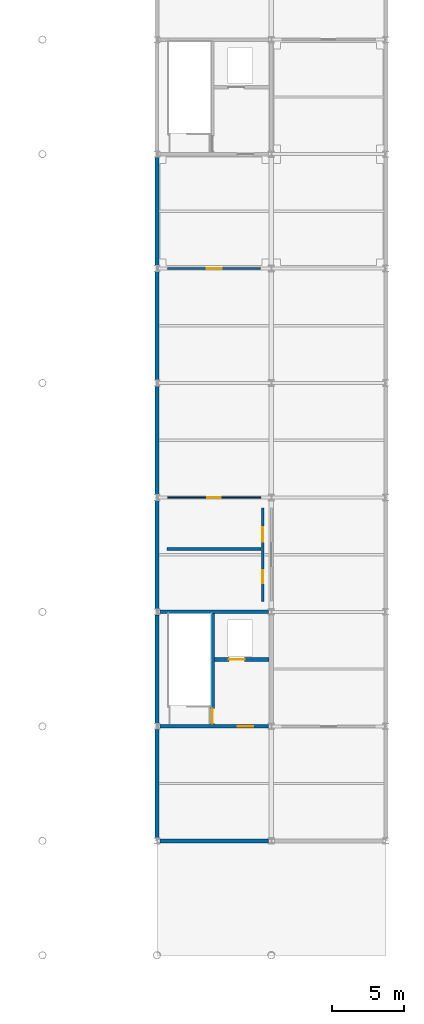
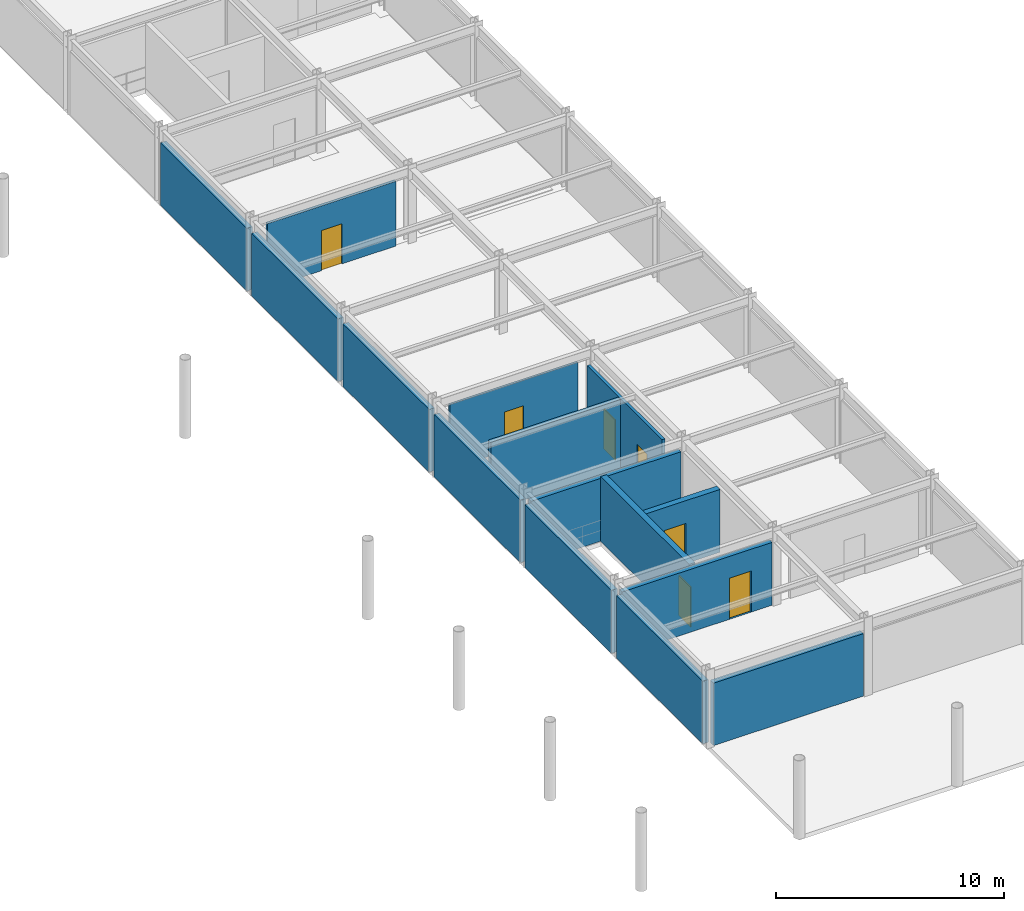
# One storey, part 43 of 54: 15 walls, 7 doors, 7 openings.
"""IFC4 building model written with IfcOpenShell, lengths in metres."""

from ifc_helpers import new_model, si_unit, direction, frame, frame_2d, origin, place, context, subcontext, project, spatial, rectangle, extrude, material, layer, layer_set, type_object, element, fill, save


model = new_model("IFC4")

# Units and contexts
model_context = context("Model", 3, precision=1e-05, world=origin(), true_north=direction((0.0, 1.0)))
body_context = subcontext(model_context, "Body", "Model", "MODEL_VIEW")
ifc_project = project(units=[si_unit("LENGTHUNIT", "METRE"), si_unit("AREAUNIT", "SQUARE_METRE"), si_unit("VOLUMEUNIT", "CUBIC_METRE"), si_unit("PLANEANGLEUNIT", "RADIAN"), si_unit("MASSUNIT", "GRAM", prefix="KILO")], contexts=[model_context])

# Site, building, storey
site_placement = place(None, origin())
site = spatial("IfcSite", under=ifc_project, at=site_placement, CompositionType="ELEMENT")
building_placement = place(site_placement, origin())
building = spatial("IfcBuilding", under=site, at=building_placement, Name="Haebicheon Civic Stadium", CompositionType="ELEMENT")
storey_placement = place(building_placement, frame((0.0, 0.0, 22.800048828125)))
storey = spatial("IfcBuildingStorey", under=building, at=storey_placement, Name="L06", CompositionType="ELEMENT", Elevation=22.800048828125)

# Wall, opening, door
ifc_material_1 = material(Name="Concrete C40/50", Category="concrete")
ifc_layer_1 = layer(ifc_material_1, 0.239990234375, Name="Concrete C40/50")
ifc_layer_set_1 = layer_set([ifc_layer_1], Name="Concrete C40/50")
wall_type_1 = type_object("IfcWallType", Name="CW-SHR-240", PredefinedType="SHEAR", material=ifc_layer_set_1)
wall_1_placement = place(storey_placement, frame((144.2041015625, 64.0, 0.0), z_axis=(0.0, 0.0, 1.0), x_axis=(1.0, 0.0, 0.0)))
wall_1 = element("IfcWall", 1, at=wall_1_placement, inside=storey, type_object=wall_type_1, material=ifc_layer_set_1, Name="KC-10 L06 south core shear wall", PredefinedType="SHEAR", context=body_context, shape_type="SweptSolid", body=[
    extrude(rectangle(XDim=7.591796875, YDim=0.239990234375, at=frame_2d((3.7958984375, 0.0))), origin(), (0.0, 0.0, 1.0), 3.369873046875),
])
opening_1_placement = place(wall_1_placement, frame((5.44189453125, 0.0, 0.0)))
opening_1 = element("IfcOpeningElement", 2, at=opening_1_placement, cuts=wall_1, Name="Opening D-L06-KC-10-LOB", PredefinedType="OPENING", context=body_context, shape_type="SweptSolid", body=[
    extrude(rectangle(XDim=1.10009765625, YDim=2.199951171875, at=frame_2d((0.550048828125, 1.10009765625))), frame((0.0, 0.1298828125, 0.0), z_axis=(0.0, -1.0, 0.0), x_axis=(1.0, 0.0, 0.0)), (0.0, 0.0, 1.0), 0.260009765625),
])
ifc_material_2 = material(Name="Galvanised painted steel SM355", Category="steel")
door_type_1 = type_object("IfcDoorType", Name="ID-FD-1100", OperationType="NOTDEFINED", PredefinedType="DOOR", material=ifc_material_2)
door_1_placement = place(opening_1_placement, origin())
door_1 = element("IfcDoor", 3, at=door_1_placement, inside=storey, type_object=door_type_1, material=ifc_material_2, Name="L06 KC-10 lobby fire door", OperationType="SINGLE_SWING_LEFT", OverallHeight=2.199951171875, OverallWidth=1.10009765625, PredefinedType="DOOR", context=body_context, shape_type="SweptSolid", body=[
    extrude(rectangle(XDim=1.10009765625, YDim=2.199951171875, at=frame_2d((0.550048828125, 1.10009765625))), frame((0.0, 0.02490234375, 0.0), z_axis=(0.0, -1.0, 0.0), x_axis=(1.0, 0.0, 0.0)), (0.0, 0.0, 1.0), 0.050048828125),
])
fill(opening_1, door_1)

# Walls
wall_2_placement = place(storey_placement, frame((144.2041015625, 72.0, 0.0), z_axis=(0.0, 0.0, 1.0), x_axis=(1.0, 0.0, 0.0)))
element("IfcWall", 4, at=wall_2_placement, inside=storey, type_object=wall_type_1, material=ifc_layer_set_1, Name="KC-10 L06 north core shear wall", PredefinedType="SHEAR", context=body_context, shape_type="SweptSolid", body=[
    extrude(rectangle(XDim=7.591796875, YDim=0.239990234375, at=frame_2d((3.7958984375, 0.0))), origin(), (0.0, 0.0, 1.0), 3.369873046875),
])
ifc_material_3 = material(Name="Concrete C40/50", Category="concrete")
ifc_layer_2 = layer(ifc_material_3, 0.300048828125, Name="Concrete C40/50")
ifc_layer_set_2 = layer_set([ifc_layer_2], Name="Concrete C40/50")
wall_type_2 = type_object("IfcWallType", Name="CW-SHR-300", PredefinedType="SHEAR", material=ifc_layer_set_2)
wall_3_placement = place(storey_placement, frame((144.0, 64.214111328125, 0.0), z_axis=(0.0, 0.0, 1.0), x_axis=(0.0, 1.0, 0.0)))
element("IfcWall", 5, at=wall_3_placement, inside=storey, type_object=wall_type_2, material=ifc_layer_set_2, Name="KC-10 L06 west core shear wall", PredefinedType="SHEAR", context=body_context, shape_type="SweptSolid", body=[
    extrude(rectangle(XDim=7.57177734375, YDim=0.300048828125, at=frame_2d((3.785888671875, 0.0))), origin(), (0.0, 0.0, 1.0), 3.369873046875),
])

# Wall, opening, door
wall_4_placement = place(storey_placement, frame((147.8798828125, 64.1201171875, 0.0), z_axis=(0.0, 0.0, 1.0), x_axis=(0.0, 1.0, 0.0)))
wall_4 = element("IfcWall", 6, at=wall_4_placement, inside=storey, type_object=wall_type_2, material=ifc_layer_set_2, Name="KC-10 L06 stair-lobby dividing shear wall", PredefinedType="SHEAR", context=body_context, shape_type="SweptSolid", body=[
    extrude(rectangle(XDim=7.759765625, YDim=0.300048828125, at=frame_2d((3.8798828125, 0.0))), origin(), (0.0, 0.0, 1.0), 3.469970703125),
])
opening_2_placement = place(wall_4_placement, frame((0.080078125, 0.0, 0.0)))
opening_2 = element("IfcOpeningElement", 7, at=opening_2_placement, cuts=wall_4, Name="Opening D-L06-KC-10-STR", PredefinedType="OPENING", context=body_context, shape_type="SweptSolid", body=[
    extrude(rectangle(XDim=1.050048828125, YDim=2.14990234375, at=frame_2d((0.52490234375, 1.074951171875))), frame((0.0, 0.159912109375, 0.0), z_axis=(0.0, -1.0, 0.0), x_axis=(1.0, 0.0, 0.0)), (0.0, 0.0, 1.0), 0.320068359375),
])
ifc_material_4 = material(Name="Galvanised painted steel SM355", Category="steel")
door_type_2 = type_object("IfcDoorType", Name="ID-FD-1050", OperationType="NOTDEFINED", PredefinedType="DOOR", material=ifc_material_4)
door_2_placement = place(opening_2_placement, origin())
door_2 = element("IfcDoor", 8, at=door_2_placement, inside=storey, type_object=door_type_2, material=ifc_material_4, Name="L06 ST-10 stairwell escape door", OperationType="SINGLE_SWING_RIGHT", OverallHeight=2.14990234375, OverallWidth=1.050048828125, PredefinedType="DOOR", context=body_context, shape_type="SweptSolid", body=[
    extrude(rectangle(XDim=1.050048828125, YDim=2.14990234375, at=frame_2d((0.52490234375, 1.074951171875))), frame((0.0, 0.02490234375, 0.0), z_axis=(0.0, -1.0, 0.0), x_axis=(1.0, 0.0, 0.0)), (0.0, 0.0, 1.0), 0.050048828125),
])
fill(opening_2, door_2)

wall_5_placement = place(storey_placement, frame((148.030029296875, 68.679931640625, 0.0), z_axis=(0.0, 0.0, 1.0), x_axis=(1.0, 0.0, 0.0)))
wall_5 = element("IfcWall", 9, at=wall_5_placement, inside=storey, type_object=wall_type_2, material=ifc_layer_set_2, Name="KC-10 L06 lift shaft front wall", PredefinedType="SHEAR", context=body_context, shape_type="SweptSolid", body=[
    extrude(rectangle(XDim=3.820068359375, YDim=0.300048828125, at=frame_2d((1.91015625, 0.0))), origin(), (0.0, 0.0, 1.0), 3.369873046875),
])
opening_3_placement = place(wall_5_placement, frame((1.0, 0.0, 0.0)))
opening_3 = element("IfcOpeningElement", 10, at=opening_3_placement, cuts=wall_5, Name="Opening LD-07-L06", PredefinedType="OPENING", context=body_context, shape_type="SweptSolid", body=[
    extrude(rectangle(XDim=1.10009765625, YDim=2.14990234375, at=frame_2d((0.550048828125, 1.074951171875))), frame((0.0, 0.159912109375, 0.0), z_axis=(0.0, -1.0, 0.0), x_axis=(1.0, 0.0, 0.0)), (0.0, 0.0, 1.0), 0.320068359375),
])
ifc_material_5 = material(Name="Stainless steel 316", Category="steel")
door_type_3 = type_object("IfcDoorType", Name="ID-LD-1100", OperationType="NOTDEFINED", PredefinedType="DOOR", material=ifc_material_5)
door_3_placement = place(opening_3_placement, origin())
door_3 = element("IfcDoor", 11, at=door_3_placement, inside=storey, type_object=door_type_3, material=ifc_material_5, Name="LF-07 lift landing sliding door L06", OperationType="SLIDING_TO_LEFT", OverallHeight=2.14990234375, OverallWidth=1.10009765625, PredefinedType="DOOR", context=body_context, shape_type="SweptSolid", body=[
    extrude(rectangle(XDim=1.10009765625, YDim=2.14990234375, at=frame_2d((0.550048828125, 1.074951171875))), frame((0.0, 0.02490234375, 0.0), z_axis=(0.0, -1.0, 0.0), x_axis=(1.0, 0.0, 0.0)), (0.0, 0.0, 1.0), 0.050048828125),
])
fill(opening_3, door_3)

# Walls
ifc_material_6 = material(Name="Precast concrete C40/50", Category="concrete")
ifc_layer_3 = layer(ifc_material_6, 0.280029296875, Name="Precast concrete C40/50")
ifc_layer_set_3 = layer_set([ifc_layer_3], Name="Precast concrete C40/50")
wall_type_3 = type_object("IfcWallType", Name="EW-BM-280", PredefinedType="SOLIDWALL", material=ifc_layer_set_3)
wall_6_placement = place(storey_placement, frame((144.2041015625, 56.0, 0.0), z_axis=(0.0, 0.0, 1.0), x_axis=(1.0, 0.0, 0.0)))
element("IfcWall", 12, at=wall_6_placement, inside=storey, type_object=wall_type_3, material=ifc_layer_set_3, Name="L06 board-marked concrete facade wall 18-07-S", PredefinedType="SOLIDWALL", context=body_context, shape_type="SweptSolid", body=[
    extrude(rectangle(XDim=7.591796875, YDim=0.280029296875, at=frame_2d((3.7958984375, 0.0))), origin(), (0.0, 0.0, 1.0), 3.349853515625),
])
for number, where, z_axis, x_axis, name in (
    (13, (144.0, 56.214111328125, 0.0), (0.0, 0.0, 1.0), (0.0, 1.0, 0.0), "L06 board-marked concrete facade wall 18-07-W"),
    (14, (144.0, 72.214111328125, 0.0), (0.0, 0.0, 1.0), (0.0, 1.0, 0.0), "L06 board-marked concrete facade wall 18-09-W"),
    (15, (144.0, 80.214111328125, 0.0), (0.0, 0.0, 1.0), (0.0, 1.0, 0.0), "L06 board-marked concrete facade wall 18-10-W"),
    (16, (144.0, 88.214111328125, 0.0), (0.0, 0.0, 1.0), (0.0, 1.0, 0.0), "L06 board-marked concrete facade wall 18-11-W"),
    (17, (144.0, 96.214111328125, 0.0), (0.0, 0.0, 1.0), (0.0, 1.0, 0.0), "L06 board-marked concrete facade wall 18-12-W"),
):
    element("IfcWall", number, at=place(storey_placement, frame(where, z_axis=z_axis, x_axis=x_axis)), inside=storey, type_object=wall_type_3, material=ifc_layer_set_3, Name=name, PredefinedType="SOLIDWALL", context=body_context, shape_type="SweptSolid", body=[
        extrude(rectangle(XDim=7.57177734375, YDim=0.280029296875, at=frame_2d((3.785888671875, 0.0))), origin(), (0.0, 0.0, 1.0), 3.349853515625),
    ])
ifc_material_7 = material(Name="Concrete C35/45", Category="concrete")
ifc_layer_4 = layer(ifc_material_7, 0.219970703125, Name="Concrete C35/45")
ifc_layer_set_4 = layer_set([ifc_layer_4], Name="Concrete C35/45")
wall_type_4 = type_object("IfcWallType", Name="IW-PLB-220", PredefinedType="PLUMBINGWALL", material=ifc_layer_set_4)
wall_7_placement = place(storey_placement, frame((144.719970703125, 76.39990234375, 0.0), z_axis=(0.0, 0.0, 1.0), x_axis=(1.0, 0.0, 0.0)))
element("IfcWall", 18, at=wall_7_placement, inside=storey, type_object=wall_type_4, material=ifc_layer_set_4, Name="L06 sanitary plumbing chase wall 20", PredefinedType="PLUMBINGWALL", context=body_context, shape_type="SweptSolid", body=[
    extrude(rectangle(XDim=6.56005859375, YDim=0.219970703125, at=frame_2d((3.280029296875, 0.0))), origin(), (0.0, 0.0, 1.0), 3.669921875),
])

# Wall, opening, door
ifc_material_8 = material(Name="Anodised aluminium and laminated glass", Category="aluminium")
ifc_layer_5 = layer(ifc_material_8, 0.10009765625, Name="Anodised aluminium and laminated glass")
ifc_layer_set_5 = layer_set([ifc_layer_5], Name="Anodised aluminium and laminated glass")
wall_type_5 = type_object("IfcWallType", Name="IW-PRT-100", PredefinedType="PARTITIONING", material=ifc_layer_set_5)
wall_8_placement = place(storey_placement, frame((144.75, 80.0, 0.0), z_axis=(0.0, 0.0, 1.0), x_axis=(1.0, 0.0, 0.0)))
wall_8 = element("IfcWall", 19, at=wall_8_placement, inside=storey, type_object=wall_type_5, material=ifc_layer_set_5, Name="L06 Hospitality Finishing Pantry partition wall", PredefinedType="PARTITIONING", context=body_context, shape_type="SweptSolid", body=[
    extrude(rectangle(XDim=6.5, YDim=0.10009765625, at=frame_2d((3.25, 0.0))), origin(), (0.0, 0.0, 1.0), 3.469970703125),
])
opening_4_placement = place(wall_8_placement, frame((2.77490234375, 0.0, 0.0)))
opening_4 = element("IfcOpeningElement", 20, at=opening_4_placement, cuts=wall_8, Name="Opening D-L06-463", PredefinedType="OPENING", context=body_context, shape_type="SweptSolid", body=[
    extrude(rectangle(XDim=0.949951171875, YDim=2.10009765625, at=frame_2d((0.47509765625, 1.050048828125))), frame((0.0, 0.06005859375, 0.0), z_axis=(0.0, -1.0, 0.0), x_axis=(1.0, 0.0, 0.0)), (0.0, 0.0, 1.0), 0.1201171875),
])
ifc_material_9 = material(Name="Engineered hardwood timber", Category="wood")
door_type_4 = type_object("IfcDoorType", Name="ID-RM-0950", OperationType="NOTDEFINED", PredefinedType="DOOR", material=ifc_material_9)
door_4_placement = place(opening_4_placement, origin())
door_4 = element("IfcDoor", 21, at=door_4_placement, inside=storey, type_object=door_type_4, material=ifc_material_9, Name="L06 Hospitality Finishing Pantry entrance door D-L06-463", OperationType="SINGLE_SWING_RIGHT", OverallHeight=2.10009765625, OverallWidth=0.949951171875, PredefinedType="DOOR", context=body_context, shape_type="SweptSolid", body=[
    extrude(rectangle(XDim=0.949951171875, YDim=2.10009765625, at=frame_2d((0.47509765625, 1.050048828125))), frame((0.0, 0.02490234375, 0.0), z_axis=(0.0, -1.0, 0.0), x_axis=(1.0, 0.0, 0.0)), (0.0, 0.0, 1.0), 0.050048828125),
])
fill(opening_4, door_4)

# Wall, openings, doors
ifc_material_10 = material(Name="Gypsum plasterboard on steel studs", Category="gypsum")
ifc_layer_6 = layer(ifc_material_10, 0.14990234375, Name="Gypsum plasterboard on steel studs")
ifc_layer_set_6 = layer_set([ifc_layer_6], Name="Gypsum plasterboard on steel studs")
wall_type_6 = type_object("IfcWallType", Name="IW-PRT-150", PredefinedType="PARTITIONING", material=ifc_layer_set_6)
wall_9_placement = place(storey_placement, frame((151.39990234375, 72.719970703125, 0.0), z_axis=(0.0, 0.0, 1.0), x_axis=(0.0, 1.0, 0.0)))
wall_9 = element("IfcWall", 22, at=wall_9_placement, inside=storey, type_object=wall_type_6, material=ifc_layer_set_6, Name="L06 sanitary enclosure front wall 20", PredefinedType="PARTITIONING", context=body_context, shape_type="SweptSolid", body=[
    extrude(rectangle(XDim=6.56005859375, YDim=0.14990234375, at=frame_2d((3.280029296875, 0.0))), origin(), (0.0, 0.0, 1.0), 3.669921875),
])
opening_5_placement = place(wall_9_placement, frame((1.300048828125, 0.0, 0.0)))
opening_5 = element("IfcOpeningElement", 23, at=opening_5_placement, cuts=wall_9, Name="Opening D-L06-WC-20A", PredefinedType="OPENING", context=body_context, shape_type="SweptSolid", body=[
    extrude(rectangle(XDim=0.89990234375, YDim=2.10009765625, at=frame_2d((0.449951171875, 1.050048828125))), frame((0.0, 0.0849609375, 0.0), z_axis=(0.0, -1.0, 0.0), x_axis=(1.0, 0.0, 0.0)), (0.0, 0.0, 1.0), 0.169921875),
])
opening_6_placement = place(wall_9_placement, frame((4.199951171875, 0.0, 0.0)))
opening_6 = element("IfcOpeningElement", 24, at=opening_6_placement, cuts=wall_9, Name="Opening D-L06-AWC-20B", PredefinedType="OPENING", context=body_context, shape_type="SweptSolid", body=[
    extrude(rectangle(XDim=1.0, YDim=2.14990234375, at=frame_2d((0.5, 1.074951171875))), frame((0.0, 0.0849609375, 0.0), z_axis=(0.0, -1.0, 0.0), x_axis=(1.0, 0.0, 0.0)), (0.0, 0.0, 1.0), 0.169921875),
])
ifc_material_11 = material(Name="Anodised aluminium 6063-T6", Category="aluminium")
door_type_5 = type_object("IfcDoorType", Name="ID-AWC-1000", OperationType="NOTDEFINED", PredefinedType="DOOR", material=ifc_material_11)
door_5_placement = place(opening_6_placement, origin())
door_5 = element("IfcDoor", 25, at=door_5_placement, inside=storey, type_object=door_type_5, material=ifc_material_11, Name="L06 accessible WC door 20", OperationType="SINGLE_SWING_RIGHT", OverallHeight=2.14990234375, OverallWidth=1.0, PredefinedType="DOOR", context=body_context, shape_type="SweptSolid", body=[
    extrude(rectangle(XDim=1.0, YDim=2.14990234375, at=frame_2d((0.5, 1.074951171875))), frame((0.0, 0.02490234375, 0.0), z_axis=(0.0, -1.0, 0.0), x_axis=(1.0, 0.0, 0.0)), (0.0, 0.0, 1.0), 0.050048828125),
])
fill(opening_6, door_5)
ifc_material_12 = material(Name="Anodised aluminium 6063-T6", Category="aluminium")
door_type_6 = type_object("IfcDoorType", Name="ID-WC-0900", OperationType="NOTDEFINED", PredefinedType="DOOR", material=ifc_material_12)
door_6_placement = place(opening_5_placement, origin())
door_6 = element("IfcDoor", 26, at=door_6_placement, inside=storey, type_object=door_type_6, material=ifc_material_12, Name="L06 public restroom door 20", OperationType="SINGLE_SWING_LEFT", OverallHeight=2.10009765625, OverallWidth=0.89990234375, PredefinedType="DOOR", context=body_context, shape_type="SweptSolid", body=[
    extrude(rectangle(XDim=0.89990234375, YDim=2.10009765625, at=frame_2d((0.449951171875, 1.050048828125))), frame((0.0, 0.02490234375, 0.0), z_axis=(0.0, -1.0, 0.0), x_axis=(1.0, 0.0, 0.0)), (0.0, 0.0, 1.0), 0.050048828125),
])
fill(opening_5, door_6)

# Wall, opening, door
wall_10_placement = place(storey_placement, frame((144.75, 96.0, 0.0), z_axis=(0.0, 0.0, 1.0), x_axis=(1.0, 0.0, 0.0)))
wall_10 = element("IfcWall", 27, at=wall_10_placement, inside=storey, type_object=wall_type_6, material=ifc_layer_set_6, Name="L06 Sky-Box Hospitality Suite partition wall", PredefinedType="PARTITIONING", context=body_context, shape_type="SweptSolid", body=[
    extrude(rectangle(XDim=6.5, YDim=0.14990234375, at=frame_2d((3.25, 0.0))), origin(), (0.0, 0.0, 1.0), 3.469970703125),
])
opening_7_placement = place(wall_10_placement, frame((2.72509765625, 0.0, 0.0)))
opening_7 = element("IfcOpeningElement", 28, at=opening_7_placement, cuts=wall_10, Name="Opening D-L06-464", PredefinedType="OPENING", context=body_context, shape_type="SweptSolid", body=[
    extrude(rectangle(XDim=1.050048828125, YDim=2.14990234375, at=frame_2d((0.52490234375, 1.074951171875))), frame((0.0, 0.0849609375, 0.0), z_axis=(0.0, -1.0, 0.0), x_axis=(1.0, 0.0, 0.0)), (0.0, 0.0, 1.0), 0.169921875),
])
ifc_material_13 = material(Name="Engineered hardwood timber", Category="wood")
door_type_7 = type_object("IfcDoorType", Name="ID-RM-1050", OperationType="NOTDEFINED", PredefinedType="DOOR", material=ifc_material_13)
door_7_placement = place(opening_7_placement, origin())
door_7 = element("IfcDoor", 29, at=door_7_placement, inside=storey, type_object=door_type_7, material=ifc_material_13, Name="L06 Sky-Box Hospitality Suite entrance door D-L06-464", OperationType="SINGLE_SWING_LEFT", OverallHeight=2.14990234375, OverallWidth=1.050048828125, PredefinedType="DOOR", context=body_context, shape_type="SweptSolid", body=[
    extrude(rectangle(XDim=1.050048828125, YDim=2.14990234375, at=frame_2d((0.52490234375, 1.074951171875))), frame((0.0, 0.02490234375, 0.0), z_axis=(0.0, -1.0, 0.0), x_axis=(1.0, 0.0, 0.0)), (0.0, 0.0, 1.0), 0.050048828125),
])
fill(opening_7, door_7)

save(model, "model.ifc")
